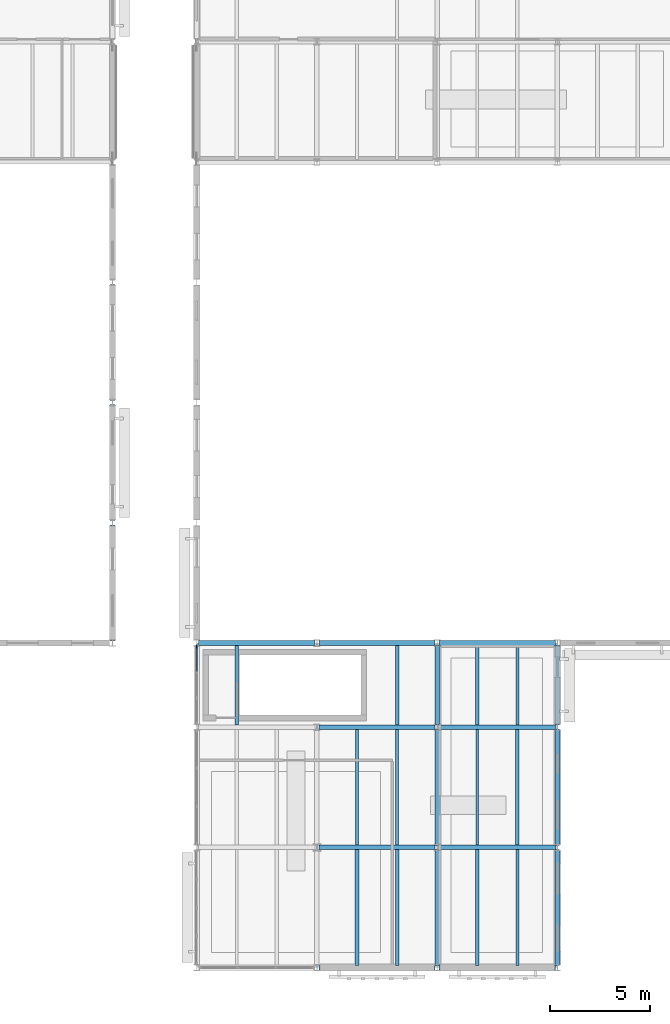
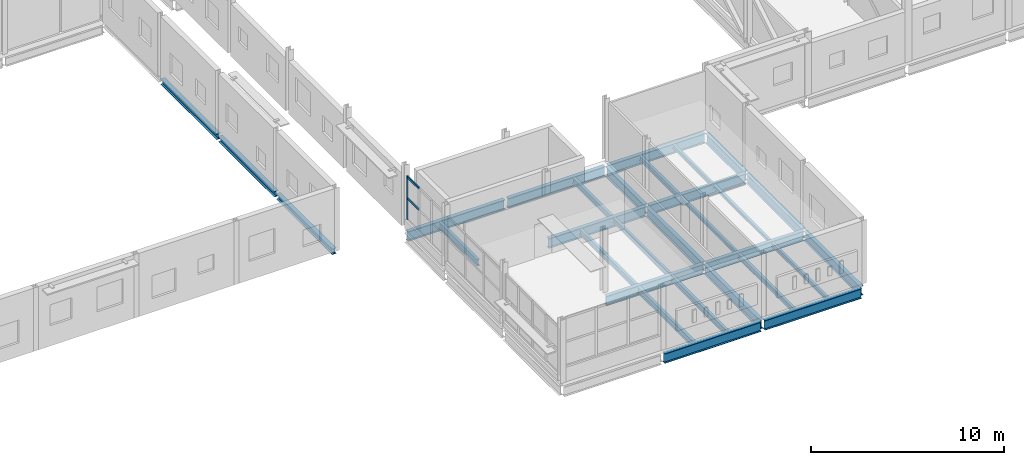
# One storey, part 18 of 92: 30 beams, 3 members, 1 element without a shape of its own.
"""IFC4 building model written with IfcOpenShell, lengths in metres."""

from ifc_helpers import new_model, si_unit, direction, frame, origin, origin_2d, place, context, subcontext, project, spatial, rectangle, i_section, extrude, material, material_profile, profile_set, type_object, element, aggregate, save


model = new_model("IFC4")

# Units and contexts
model_context = context("Model", 3, precision=1e-05, world=origin(), true_north=direction((0.0, 1.0)))
body_context = subcontext(model_context, "Body", "Model", "MODEL_VIEW")
ifc_project = project(units=[si_unit("LENGTHUNIT", "METRE"), si_unit("AREAUNIT", "SQUARE_METRE"), si_unit("VOLUMEUNIT", "CUBIC_METRE"), si_unit("PLANEANGLEUNIT", "RADIAN"), si_unit("MASSUNIT", "GRAM", prefix="KILO")], contexts=[model_context])

# Site, building, storey
site_placement = place(None, origin())
site = spatial("IfcSite", under=ifc_project, at=site_placement, CompositionType="ELEMENT")
building_placement = place(site_placement, origin())
building = spatial("IfcBuilding", under=site, at=building_placement, Name="Siltcreek Boulevard Central Fire Station", CompositionType="ELEMENT")
storey_placement = place(building_placement, frame((0.0, 0.0, 6.0)))
storey = spatial("IfcBuildingStorey", under=building, at=storey_placement, Name="L02", CompositionType="ELEMENT", Elevation=6.0)

# Beams
ifc_material_1 = material(Name="Structural steel ASTM A992 Gr50", Category="steel")
ifc_material_profile_1 = material_profile(ifc_material_1, i_section(OverallWidth=0.25390625, OverallDepth=0.35302734375, WebThickness=0.009521484375, FlangeThickness=0.016357421875, at=origin_2d()), Name="W360X91")
ifc_profile_set_1 = profile_set([ifc_material_profile_1], Name="Structural steel ASTM A992 Gr50")
beam_type_1 = type_object("IfcBeamType", Name="BM_W360X91", PredefinedType="BEAM", material=ifc_profile_set_1)
for number, where, z_axis, x_axis, name in (
    (1, (37.800048828125, 18.10009765625, -0.176513671875), (0.0, 1.0, 0.0), (-1.0, 0.0, 0.0), "Perimeter spandrel tie beam EB-14"),
    (2, (37.800048828125, 24.10009765625, -0.176513671875), (0.0, 1.0, 0.0), (-1.0, 0.0, 0.0), "Perimeter spandrel tie beam EB-15"),
    (3, (37.800048828125, 30.10009765625, -0.176513671875), (0.0, 1.0, 0.0), (-1.0, 0.0, 0.0), "Perimeter spandrel tie beam EB-16"),
):
    element("IfcBeam", number, at=place(storey_placement, frame(where, z_axis=z_axis, x_axis=x_axis)), inside=storey, type_object=beam_type_1, Name=name, PredefinedType="BEAM", context=body_context, shape_type="SweptSolid", body=[
        extrude(i_section(OverallWidth=0.25390625, OverallDepth=0.35302734375, WebThickness=0.009521484375, FlangeThickness=0.016357421875, at=origin_2d()), origin(), (0.0, 0.0, 1.0), 5.7998046875),
    ])
ifc_material_profile_2 = material_profile(ifc_material_1, i_section(OverallWidth=0.22802734375, OverallDepth=0.60791015625, WebThickness=0.01123046875, FlangeThickness=0.017333984375, at=origin_2d()), Name="W610X113")
ifc_profile_set_2 = profile_set([ifc_material_profile_2], Name="Structural steel ASTM A992 Gr50")
beam_type_2 = type_object("IfcBeamType", Name="BM_W610X113", PredefinedType="BEAM", material=ifc_profile_set_2)
for number, where, z_axis, x_axis, name in (
    (4, (54.0, 1.89990234375, -0.6240234375), (0.0, 1.0, 0.0), (-1.0, 0.0, 0.0), "L02 primary steel girder GY-0033"),
    (5, (54.0, 7.89990234375, -0.6240234375), (0.0, 1.0, 0.0), (-1.0, 0.0, 0.0), "L02 primary steel girder GY-0034"),
):
    element("IfcBeam", number, at=place(storey_placement, frame(where, z_axis=z_axis, x_axis=x_axis)), inside=storey, type_object=beam_type_2, Name=name, PredefinedType="BEAM", context=body_context, shape_type="SweptSolid", body=[
        extrude(i_section(OverallWidth=0.22802734375, OverallDepth=0.60791015625, WebThickness=0.01123046875, FlangeThickness=0.017333984375, at=origin_2d()), origin(), (0.0, 0.0, 1.0), 5.800048828125),
    ])
beam_1_placement = place(storey_placement, frame((54.0, 13.89990234375, -0.6240234375), z_axis=(0.0, 1.0, 0.0), x_axis=(-1.0, 0.0, 0.0)))
element("IfcBeam", 6, at=beam_1_placement, inside=storey, type_object=beam_type_2, Name="L02 primary steel girder GY-0035", PredefinedType="BEAM", context=body_context, shape_type="SweptSolid", body=[
    extrude(i_section(OverallWidth=0.22802734375, OverallDepth=0.60791015625, WebThickness=0.01123046875, FlangeThickness=0.017333984375, at=origin_2d()), origin(), (0.0, 0.0, 1.0), 4.0),
])
for number, where, z_axis, x_axis, name in (
    (7, (60.0, 1.89990234375, -0.6240234375), (0.0, 1.0, 0.0), (-1.0, 0.0, 0.0), "L02 primary steel girder GY-0038"),
    (8, (60.0, 7.89990234375, -0.6240234375), (0.0, 1.0, 0.0), (-1.0, 0.0, 0.0), "L02 primary steel girder GY-0039"),
):
    element("IfcBeam", number, at=place(storey_placement, frame(where, z_axis=z_axis, x_axis=x_axis)), inside=storey, type_object=beam_type_2, Name=name, PredefinedType="BEAM", context=body_context, shape_type="SweptSolid", body=[
        extrude(i_section(OverallWidth=0.22802734375, OverallDepth=0.60791015625, WebThickness=0.01123046875, FlangeThickness=0.017333984375, at=origin_2d()), origin(), (0.0, 0.0, 1.0), 5.800048828125),
    ])
beam_2_placement = place(storey_placement, frame((60.0, 13.89990234375, -0.6240234375), z_axis=(0.0, 1.0, 0.0), x_axis=(-1.0, 0.0, 0.0)))
element("IfcBeam", 9, at=beam_2_placement, inside=storey, type_object=beam_type_2, Name="L02 primary steel girder GY-0040", PredefinedType="BEAM", context=body_context, shape_type="SweptSolid", body=[
    extrude(i_section(OverallWidth=0.22802734375, OverallDepth=0.60791015625, WebThickness=0.01123046875, FlangeThickness=0.017333984375, at=origin_2d()), origin(), (0.0, 0.0, 1.0), 4.0),
])
ifc_material_profile_3 = material_profile(ifc_material_1, i_section(OverallWidth=0.22998046875, OverallDepth=0.616943359375, WebThickness=0.01318359375, FlangeThickness=0.022216796875, at=origin_2d()), Name="W610X140")
ifc_profile_set_3 = profile_set([ifc_material_profile_3], Name="Structural steel ASTM A992 Gr50")
beam_type_3 = type_object("IfcBeamType", Name="BM_W610X140", PredefinedType="BEAM", material=ifc_profile_set_3)
for number, where, z_axis, x_axis, name in (
    (10, (48.10009765625, 1.800048828125, -0.62841796875), (1.0, 0.0, 0.0), (0.0, 1.0, 0.0), "L02 primary steel girder GX-0002"),
    (11, (54.10009765625, 1.800048828125, -0.62841796875), (1.0, 0.0, 0.0), (0.0, 1.0, 0.0), "L02 primary steel girder GX-0003"),
    (12, (48.10009765625, 7.800048828125, -0.62841796875), (1.0, 0.0, 0.0), (0.0, 1.0, 0.0), "L02 primary steel girder GX-0005"),
    (13, (54.10009765625, 7.800048828125, -0.62841796875), (1.0, 0.0, 0.0), (0.0, 1.0, 0.0), "L02 primary steel girder GX-0006"),
    (14, (48.10009765625, 13.800048828125, -0.62841796875), (1.0, 0.0, 0.0), (0.0, 1.0, 0.0), "L02 primary steel girder GX-0008"),
    (15, (54.10009765625, 13.800048828125, -0.62841796875), (1.0, 0.0, 0.0), (0.0, 1.0, 0.0), "L02 primary steel girder GX-0009"),
    (16, (42.10009765625, 18.0, -0.62841796875), (1.0, 0.0, 0.0), (0.0, 1.0, 0.0), "L02 primary steel girder GX-0010"),
    (17, (48.10009765625, 18.0, -0.62841796875), (1.0, 0.0, 0.0), (0.0, 1.0, 0.0), "L02 primary steel girder GX-0011"),
    (18, (54.10009765625, 18.0, -0.62841796875), (1.0, 0.0, 0.0), (0.0, 1.0, 0.0), "L02 primary steel girder GX-0012"),
):
    element("IfcBeam", number, at=place(storey_placement, frame(where, z_axis=z_axis, x_axis=x_axis)), inside=storey, type_object=beam_type_3, Name=name, PredefinedType="BEAM", context=body_context, shape_type="SweptSolid", body=[
        extrude(i_section(OverallWidth=0.22998046875, OverallDepth=0.616943359375, WebThickness=0.01318359375, FlangeThickness=0.022216796875, at=origin_2d()), origin(), (0.0, 0.0, 1.0), 5.7998046875),
    ])

# Curtain wall, members
ifc_material_2 = material(Name="Anodized aluminum and low-E insulated glazing", Category="aluminium")
curtain_wall_type = type_object("IfcCurtainWallType", Name="CW_SYS_15", PredefinedType="USERDEFINED", material=ifc_material_2)
curtain_wall_placement = place(storey_placement, origin())
curtain_wall = element("IfcCurtainWall", 19, at=curtain_wall_placement, inside=storey, type_object=curtain_wall_type, Name="L02 V1 unitised curtain wall CW-014", ObjectType="CURTAIN WALL", PredefinedType="USERDEFINED")
ifc_material_3 = material(Name="Anodized 6063-T6 aluminum framing", Category="aluminium")
ifc_material_profile_4 = material_profile(ifc_material_3, rectangle(XDim=0.06494140625, YDim=0.175048828125, at=origin_2d()), Name="MULL65X175")
ifc_profile_set_4 = profile_set([ifc_material_profile_4], Name="Anodized 6063-T6 aluminum framing")
member_type_1 = type_object("IfcMemberType", Name="CWM_65X175", PredefinedType="MULLION", material=ifc_profile_set_4)
member_1_placement = place(storey_placement, frame((42.0, 17.822509765625, 0.56005859375), z_axis=(0.0, 0.0, 1.0), x_axis=(1.0, 0.0, 0.0)))
member_1 = element("IfcMember", 20, at=member_1_placement, type_object=member_type_1, Name="CW-014 mullion 1", PredefinedType="MULLION", context=body_context, shape_type="SweptSolid", body=[
    extrude(rectangle(XDim=0.06494140625, YDim=0.175048828125, at=origin_2d()), origin(), (0.0, 0.0, 1.0), 2.730224609375),
])
ifc_material_profile_5 = material_profile(ifc_material_3, rectangle(XDim=0.06494140625, YDim=0.135009765625, at=origin_2d()), Name="TRAN65X135")
ifc_profile_set_5 = profile_set([ifc_material_profile_5], Name="Anodized 6063-T6 aluminum framing")
member_type_2 = type_object("IfcMemberType", Name="CWT_65X135", PredefinedType="USERDEFINED", material=ifc_profile_set_5)
member_2_placement = place(storey_placement, frame((42.0, 17.7900390625, 1.92529296875), z_axis=(0.0, -1.0, 0.0), x_axis=(1.0, 0.0, 0.0)))
member_2 = element("IfcMember", 21, at=member_2_placement, type_object=member_type_2, Name="CW-014 transom 1.2", ObjectType="TRANSOM", PredefinedType="USERDEFINED", context=body_context, shape_type="SweptSolid", body=[
    extrude(rectangle(XDim=0.06494140625, YDim=0.135009765625, at=origin_2d()), origin(), (0.0, 0.0, 1.0), 1.205810546875),
])
member_3_placement = place(storey_placement, frame((42.0, 17.7900390625, 3.2578125), z_axis=(0.0, -1.0, 0.0), x_axis=(1.0, 0.0, 0.0)))
member_3 = element("IfcMember", 22, at=member_3_placement, type_object=member_type_2, Name="CW-014 transom 1.3", ObjectType="TRANSOM", PredefinedType="USERDEFINED", context=body_context, shape_type="SweptSolid", body=[
    extrude(rectangle(XDim=0.06494140625, YDim=0.135009765625, at=origin_2d()), origin(), (0.0, 0.0, 1.0), 1.205810546875),
])
aggregate(curtain_wall, [member_1, member_2, member_3])

# Beams
ifc_material_profile_6 = material_profile(ifc_material_1, i_section(OverallWidth=0.1650390625, OverallDepth=0.200927734375, WebThickness=0.006103515625, FlangeThickness=0.01025390625, at=origin_2d()), Name="W200X36")
ifc_profile_set_6 = profile_set([ifc_material_profile_6], Name="Structural steel ASTM A992 Gr50")
beam_type_4 = type_object("IfcBeamType", Name="JST_W200X36", PredefinedType="JOIST", material=ifc_profile_set_6)
beam_3_placement = place(storey_placement, frame((58.0, 7.9130859375, -0.42041015625), z_axis=(0.0, 1.0, 0.0), x_axis=(-1.0, 0.0, 0.0)))
element("IfcBeam", 23, at=beam_3_placement, inside=storey, type_object=beam_type_4, Name="L02 secondary steel floor joist 0012", PredefinedType="JOIST", context=body_context, shape_type="SweptSolid", body=[
    extrude(i_section(OverallWidth=0.1650390625, OverallDepth=0.200927734375, WebThickness=0.006103515625, FlangeThickness=0.01025390625, at=origin_2d()), origin(), (0.0, 0.0, 1.0), 5.77392578125),
])
ifc_material_profile_7 = material_profile(ifc_material_1, i_section(OverallWidth=0.14697265625, OverallDepth=0.261962890625, WebThickness=0.006591796875, FlangeThickness=0.01123046875, at=origin_2d()), Name="W250X39")
ifc_profile_set_7 = profile_set([ifc_material_profile_7], Name="Structural steel ASTM A992 Gr50")
beam_type_5 = type_object("IfcBeamType", Name="JST_W250X39", PredefinedType="JOIST", material=ifc_profile_set_7)
for number, where, z_axis, x_axis, name in (
    (24, (58.0, 1.9130859375, -0.450927734375), (0.0, 1.0, 0.0), (-1.0, 0.0, 0.0), "L02 secondary steel floor joist 0006"),
    (25, (56.0, 7.9130859375, -0.450927734375), (0.0, 1.0, 0.0), (-1.0, 0.0, 0.0), "L02 secondary steel floor joist 0011"),
):
    element("IfcBeam", number, at=place(storey_placement, frame(where, z_axis=z_axis, x_axis=x_axis)), inside=storey, type_object=beam_type_5, Name=name, PredefinedType="JOIST", context=body_context, shape_type="SweptSolid", body=[
        extrude(i_section(OverallWidth=0.14697265625, OverallDepth=0.261962890625, WebThickness=0.006591796875, FlangeThickness=0.01123046875, at=origin_2d()), origin(), (0.0, 0.0, 1.0), 5.77392578125),
    ])
beam_4_placement = place(storey_placement, frame((58.0, 13.9130859375, -0.450927734375), z_axis=(0.0, 1.0, 0.0), x_axis=(-1.0, 0.0, 0.0)))
element("IfcBeam", 26, at=beam_4_placement, inside=storey, type_object=beam_type_5, Name="L02 secondary steel floor joist 0016", PredefinedType="JOIST", context=body_context, shape_type="SweptSolid", body=[
    extrude(i_section(OverallWidth=0.14697265625, OverallDepth=0.261962890625, WebThickness=0.006591796875, FlangeThickness=0.01123046875, at=origin_2d()), origin(), (0.0, 0.0, 1.0), 3.973876953125),
])
ifc_material_profile_8 = material_profile(ifc_material_1, i_section(OverallWidth=0.166015625, OverallDepth=0.31298828125, WebThickness=0.006591796875, FlangeThickness=0.01123046875, at=origin_2d()), Name="W310X45")
ifc_profile_set_8 = profile_set([ifc_material_profile_8], Name="Structural steel ASTM A992 Gr50")
beam_type_6 = type_object("IfcBeamType", Name="JST_W310X45", PredefinedType="JOIST", material=ifc_profile_set_8)
for number, where, z_axis, x_axis, name in (
    (27, (56.0, 1.9130859375, -0.4765625), (0.0, 1.0, 0.0), (-1.0, 0.0, 0.0), "L02 secondary steel floor joist 0005"),
    (28, (52.0, 7.9130859375, -0.4765625), (0.0, 1.0, 0.0), (-1.0, 0.0, 0.0), "L02 secondary steel floor joist 0010"),
):
    element("IfcBeam", number, at=place(storey_placement, frame(where, z_axis=z_axis, x_axis=x_axis)), inside=storey, type_object=beam_type_6, Name=name, PredefinedType="JOIST", context=body_context, shape_type="SweptSolid", body=[
        extrude(i_section(OverallWidth=0.166015625, OverallDepth=0.31298828125, WebThickness=0.006591796875, FlangeThickness=0.01123046875, at=origin_2d()), origin(), (0.0, 0.0, 1.0), 5.77392578125),
    ])
beam_5_placement = place(storey_placement, frame((56.0, 13.9130859375, -0.4765625), z_axis=(0.0, 1.0, 0.0), x_axis=(-1.0, 0.0, 0.0)))
element("IfcBeam", 29, at=beam_5_placement, inside=storey, type_object=beam_type_6, Name="L02 secondary steel floor joist 0015", PredefinedType="JOIST", context=body_context, shape_type="SweptSolid", body=[
    extrude(i_section(OverallWidth=0.166015625, OverallDepth=0.31298828125, WebThickness=0.006591796875, FlangeThickness=0.01123046875, at=origin_2d()), origin(), (0.0, 0.0, 1.0), 3.973876953125),
])
ifc_material_profile_9 = material_profile(ifc_material_1, i_section(OverallWidth=0.172119140625, OverallDepth=0.35791015625, WebThickness=0.0078125, FlangeThickness=0.01318359375, at=origin_2d()), Name="W360X57")
ifc_profile_set_9 = profile_set([ifc_material_profile_9], Name="Structural steel ASTM A992 Gr50")
beam_type_7 = type_object("IfcBeamType", Name="JST_W360X57", PredefinedType="JOIST", material=ifc_profile_set_9)
for number, where, z_axis, x_axis, name in (
    (30, (52.0, 1.9130859375, -0.4990234375), (0.0, 1.0, 0.0), (-1.0, 0.0, 0.0), "L02 secondary steel floor joist 0004"),
    (31, (50.0, 7.9130859375, -0.4990234375), (0.0, 1.0, 0.0), (-1.0, 0.0, 0.0), "L02 secondary steel floor joist 0009"),
):
    element("IfcBeam", number, at=place(storey_placement, frame(where, z_axis=z_axis, x_axis=x_axis)), inside=storey, type_object=beam_type_7, Name=name, PredefinedType="JOIST", context=body_context, shape_type="SweptSolid", body=[
        extrude(i_section(OverallWidth=0.172119140625, OverallDepth=0.35791015625, WebThickness=0.0078125, FlangeThickness=0.01318359375, at=origin_2d()), origin(), (0.0, 0.0, 1.0), 5.77392578125),
    ])
beam_6_placement = place(storey_placement, frame((52.0, 13.9130859375, -0.4990234375), z_axis=(0.0, 1.0, 0.0), x_axis=(-1.0, 0.0, 0.0)))
element("IfcBeam", 32, at=beam_6_placement, inside=storey, type_object=beam_type_7, Name="L02 secondary steel floor joist 0014", PredefinedType="JOIST", context=body_context, shape_type="SweptSolid", body=[
    extrude(i_section(OverallWidth=0.172119140625, OverallDepth=0.35791015625, WebThickness=0.0078125, FlangeThickness=0.01318359375, at=origin_2d()), origin(), (0.0, 0.0, 1.0), 3.973876953125),
])
ifc_material_profile_10 = material_profile(ifc_material_1, i_section(OverallWidth=0.177001953125, OverallDepth=0.403076171875, WebThickness=0.007568359375, FlangeThickness=0.010986328125, at=origin_2d()), Name="W410X53")
ifc_profile_set_10 = profile_set([ifc_material_profile_10], Name="Structural steel ASTM A992 Gr50")
beam_type_8 = type_object("IfcBeamType", Name="JST_W410X53", PredefinedType="JOIST", material=ifc_profile_set_10)
beam_7_placement = place(storey_placement, frame((50.0, 1.9130859375, -0.521484375), z_axis=(0.0, 1.0, 0.0), x_axis=(-1.0, 0.0, 0.0)))
element("IfcBeam", 33, at=beam_7_placement, inside=storey, type_object=beam_type_8, Name="L02 secondary steel floor joist 0003", PredefinedType="JOIST", context=body_context, shape_type="SweptSolid", body=[
    extrude(i_section(OverallWidth=0.177001953125, OverallDepth=0.403076171875, WebThickness=0.007568359375, FlangeThickness=0.010986328125, at=origin_2d()), origin(), (0.0, 0.0, 1.0), 5.77392578125),
])
beam_8_placement = place(storey_placement, frame((44.0, 13.9130859375, -0.521484375), z_axis=(0.0, 1.0, 0.0), x_axis=(-1.0, 0.0, 0.0)))
element("IfcBeam", 34, at=beam_8_placement, inside=storey, type_object=beam_type_8, Name="L02 secondary steel floor joist 0013", PredefinedType="JOIST", context=body_context, shape_type="SweptSolid", body=[
    extrude(i_section(OverallWidth=0.177001953125, OverallDepth=0.403076171875, WebThickness=0.007568359375, FlangeThickness=0.010986328125, at=origin_2d()), origin(), (0.0, 0.0, 1.0), 3.973876953125),
])

save(model, "model.ifc")
